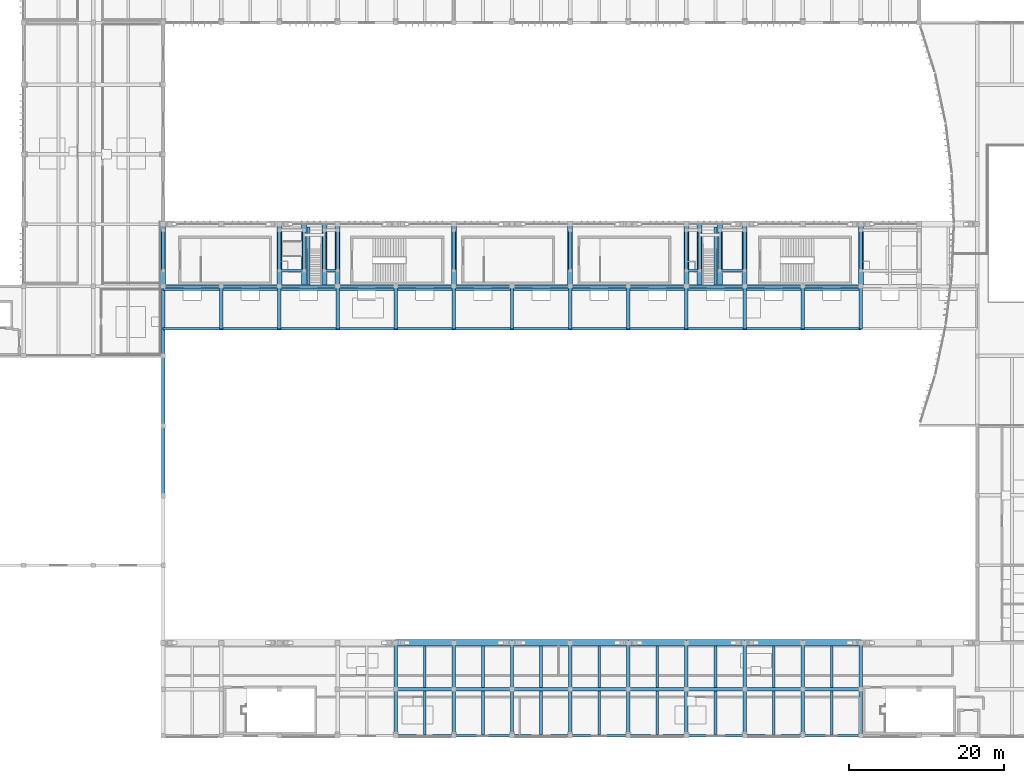
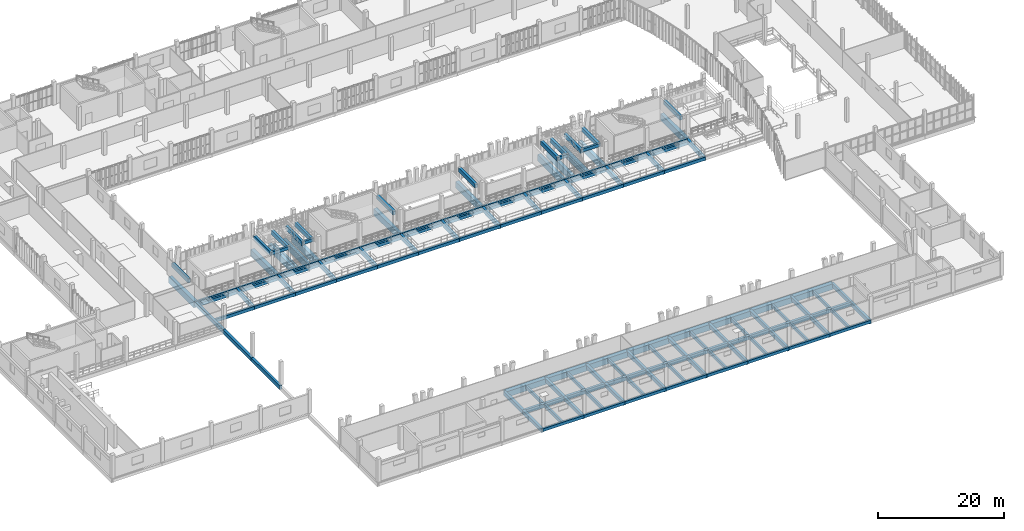
# One storey, part 9 of 81: 139 beams.
"""IFC4 building model written with IfcOpenShell, lengths in metres."""

from ifc_helpers import new_model, si_unit, direction, frame, origin, origin_2d, place, context, subcontext, project, spatial, rectangle, extrude, material, material_profile, profile_set, type_object, element, save


model = new_model("IFC4")

# Units and contexts
model_context = context("Model", 3, precision=1e-05, world=origin(), true_north=direction((0.0, 1.0)))
body_context = subcontext(model_context, "Body", "Model", "MODEL_VIEW")
ifc_project = project(units=[si_unit("LENGTHUNIT", "METRE"), si_unit("AREAUNIT", "SQUARE_METRE"), si_unit("VOLUMEUNIT", "CUBIC_METRE"), si_unit("PLANEANGLEUNIT", "RADIAN"), si_unit("MASSUNIT", "GRAM", prefix="KILO")], contexts=[model_context])

# Site, building, storey
site_placement = place(None, origin())
site = spatial("IfcSite", under=ifc_project, at=site_placement, CompositionType="ELEMENT")
building_placement = place(site_placement, origin())
building = spatial("IfcBuilding", under=site, at=building_placement, Name="Vourika Railside Aquatics Centre", CompositionType="ELEMENT")
storey_placement = place(building_placement, frame((0.0, 0.0, 4.800048828125)))
storey = spatial("IfcBuildingStorey", under=building, at=storey_placement, Name="L01", CompositionType="ELEMENT", Elevation=4.800048828125)

# Beams
ifc_material_1 = material(Name="Concrete C35/45", Category="concrete")
ifc_material_profile_1 = material_profile(ifc_material_1, rectangle(XDim=0.449951171875, YDim=0.75, at=origin_2d()), Name="RC 450x750")
ifc_profile_set_1 = profile_set([ifc_material_profile_1], Name="Concrete C35/45")
beam_type_1 = type_object("IfcBeamType", Name="BM-GIRD-450x750", PredefinedType="BEAM", material=ifc_profile_set_1)
for number, where, z_axis, x_axis, name in (
    (1, (66.0, 6.0, -0.675048828125), (1.0, 0.0, 0.0), (0.0, 1.0, 0.0), "Floor Beam GX-L01-018"),
    (2, (73.5, 6.0, -0.675048828125), (1.0, 0.0, 0.0), (0.0, 1.0, 0.0), "Floor Beam GX-L01-019"),
    (3, (81.0, 6.0, -0.675048828125), (1.0, 0.0, 0.0), (0.0, 1.0, 0.0), "Floor Beam GX-L01-020"),
    (4, (88.5, 6.0, -0.675048828125), (1.0, 0.0, 0.0), (0.0, 1.0, 0.0), "Floor Beam GX-L01-021"),
    (5, (96.0, 6.0, -0.675048828125), (1.0, 0.0, 0.0), (0.0, 1.0, 0.0), "Floor Beam GX-L01-022"),
    (6, (103.5, 6.0, -0.675048828125), (1.0, 0.0, 0.0), (0.0, 1.0, 0.0), "Floor Beam GX-L01-023"),
    (7, (111.0, 6.0, -0.675048828125), (1.0, 0.0, 0.0), (0.0, 1.0, 0.0), "Floor Beam GX-L01-024"),
    (8, (118.5, 6.0, -0.675048828125), (1.0, 0.0, 0.0), (0.0, 1.0, 0.0), "Floor Beam GX-L01-025"),
):
    element("IfcBeam", number, at=place(storey_placement, frame(where, z_axis=z_axis, x_axis=x_axis)), inside=storey, type_object=beam_type_1, Name=name, PredefinedType="BEAM", context=body_context, shape_type="SweptSolid", body=[
        extrude(rectangle(XDim=0.449951171875, YDim=0.75, at=origin_2d()), origin(), (0.0, 0.0, 1.0), 7.5),
    ])
for number, where, z_axis, x_axis, name in (
    (9, (36.0, 31.0, -0.675048828125), (0.0, 1.0, 0.0), (-1.0, 0.0, 0.0), "Floor Girder GY-L01-192"),
    (10, (36.0, 40.0, -0.675048828125), (0.0, 1.0, 0.0), (-1.0, 0.0, 0.0), "Floor Girder GY-L01-193"),
    (11, (36.0, 49.0, -0.675048828125), (0.0, 1.0, 0.0), (-1.0, 0.0, 0.0), "Floor Girder GY-L01-194"),
):
    element("IfcBeam", number, at=place(storey_placement, frame(where, z_axis=z_axis, x_axis=x_axis)), inside=storey, type_object=beam_type_1, Name=name, PredefinedType="BEAM", context=body_context, shape_type="SweptSolid", body=[
        extrude(rectangle(XDim=0.449951171875, YDim=0.75, at=origin_2d()), origin(), (0.0, 0.0, 1.0), 9.0),
    ])
for number, where, z_axis, x_axis, name in (
    (12, (66.0, 0.0, -0.675048828125), (0.0, 1.0, 0.0), (-1.0, 0.0, 0.0), "Floor Girder GY-L01-215"),
    (13, (66.0, 6.0, -0.675048828125), (0.0, 1.0, 0.0), (-1.0, 0.0, 0.0), "Floor Girder GY-L01-216"),
    (14, (73.5, 0.0, -0.675048828125), (0.0, 1.0, 0.0), (-1.0, 0.0, 0.0), "Floor Girder GY-L01-220"),
    (15, (73.5, 6.0, -0.675048828125), (0.0, 1.0, 0.0), (-1.0, 0.0, 0.0), "Floor Girder GY-L01-221"),
    (16, (81.0, 0.0, -0.675048828125), (0.0, 1.0, 0.0), (-1.0, 0.0, 0.0), "Floor Girder GY-L01-226"),
    (17, (81.0, 6.0, -0.675048828125), (0.0, 1.0, 0.0), (-1.0, 0.0, 0.0), "Floor Girder GY-L01-227"),
    (18, (88.5, 0.0, -0.675048828125), (0.0, 1.0, 0.0), (-1.0, 0.0, 0.0), "Floor Girder GY-L01-230"),
    (19, (88.5, 6.0, -0.675048828125), (0.0, 1.0, 0.0), (-1.0, 0.0, 0.0), "Floor Girder GY-L01-231"),
    (20, (96.0, 0.0, -0.675048828125), (0.0, 1.0, 0.0), (-1.0, 0.0, 0.0), "Floor Girder GY-L01-236"),
    (21, (96.0, 6.0, -0.675048828125), (0.0, 1.0, 0.0), (-1.0, 0.0, 0.0), "Floor Girder GY-L01-237"),
    (22, (103.5, 0.0, -0.675048828125), (0.0, 1.0, 0.0), (-1.0, 0.0, 0.0), "Floor Girder GY-L01-241"),
    (23, (103.5, 6.0, -0.675048828125), (0.0, 1.0, 0.0), (-1.0, 0.0, 0.0), "Floor Girder GY-L01-242"),
    (24, (111.0, 0.0, -0.675048828125), (0.0, 1.0, 0.0), (-1.0, 0.0, 0.0), "Floor Girder GY-L01-247"),
    (25, (111.0, 6.0, -0.675048828125), (0.0, 1.0, 0.0), (-1.0, 0.0, 0.0), "Floor Girder GY-L01-248"),
    (26, (118.5, 0.0, -0.675048828125), (0.0, 1.0, 0.0), (-1.0, 0.0, 0.0), "Floor Girder GY-L01-253"),
    (27, (118.5, 6.0, -0.675048828125), (0.0, 1.0, 0.0), (-1.0, 0.0, 0.0), "Floor Girder GY-L01-254"),
    (28, (126.0, 0.0, -0.675048828125), (0.0, 1.0, 0.0), (-1.0, 0.0, 0.0), "Floor Girder GY-L01-258"),
    (29, (126.0, 6.0, -0.675048828125), (0.0, 1.0, 0.0), (-1.0, 0.0, 0.0), "Floor Girder GY-L01-259"),
):
    element("IfcBeam", number, at=place(storey_placement, frame(where, z_axis=z_axis, x_axis=x_axis)), inside=storey, type_object=beam_type_1, Name=name, PredefinedType="BEAM", context=body_context, shape_type="SweptSolid", body=[
        extrude(rectangle(XDim=0.449951171875, YDim=0.75, at=origin_2d()), origin(), (0.0, 0.0, 1.0), 6.0),
    ])
ifc_material_profile_2 = material_profile(ifc_material_1, rectangle(XDim=0.449951171875, YDim=0.800048828125, at=origin_2d()), Name="RC 450x800")
ifc_profile_set_2 = profile_set([ifc_material_profile_2], Name="Concrete C35/45")
beam_type_2 = type_object("IfcBeamType", Name="BM-RAKER-450x800", PredefinedType="BEAM", material=ifc_profile_set_2)
for number, where, z_axis, x_axis, name in (
    (30, (43.5, 52.5, -0.949951171875), (0.0, 0.99896854021, 0.045407660919), (-1.0, 0.0, 0.0), "Grandstand Lower Raker Beam RKL-43.5"),
    (31, (51.0, 52.5, -0.949951171875), (0.0, 0.99896854021, 0.045407660919), (-1.0, 0.0, 0.0), "Grandstand Lower Raker Beam RKL-51.0"),
    (32, (58.5, 52.5, -0.949951171875), (0.0, 0.99896854021, 0.045407660919), (-1.0, 0.0, 0.0), "Grandstand Lower Raker Beam RKL-58.5"),
    (33, (66.0, 52.5, -0.949951171875), (0.0, 0.99896854021, 0.045407660919), (-1.0, 0.0, 0.0), "Grandstand Lower Raker Beam RKL-66.0"),
    (34, (73.5, 52.5, -0.949951171875), (0.0, 0.99896854021, 0.045407660919), (-1.0, 0.0, 0.0), "Grandstand Lower Raker Beam RKL-73.5"),
    (35, (81.0, 52.5, -0.949951171875), (0.0, 0.99896854021, 0.045407660919), (-1.0, 0.0, 0.0), "Grandstand Lower Raker Beam RKL-81.0"),
    (36, (88.5, 52.5, -0.949951171875), (0.0, 0.99896854021, 0.045407660919), (-1.0, 0.0, 0.0), "Grandstand Lower Raker Beam RKL-88.5"),
    (37, (96.0, 52.5, -0.949951171875), (0.0, 0.99896854021, 0.045407660919), (-1.0, 0.0, 0.0), "Grandstand Lower Raker Beam RKL-96.0"),
    (38, (103.5, 52.5, -0.949951171875), (0.0, 0.99896854021, 0.045407660919), (-1.0, 0.0, 0.0), "Grandstand Lower Raker Beam RKL-103.5"),
    (39, (111.0, 52.5, -0.949951171875), (0.0, 0.99896854021, 0.045407660919), (-1.0, 0.0, 0.0), "Grandstand Lower Raker Beam RKL-111.0"),
    (40, (118.5, 52.5, -0.949951171875), (0.0, 0.99896854021, 0.045407660919), (-1.0, 0.0, 0.0), "Grandstand Lower Raker Beam RKL-118.5"),
    (41, (126.0, 52.5, -0.949951171875), (0.0, 0.99896854021, 0.045407660919), (-1.0, 0.0, 0.0), "Grandstand Lower Raker Beam RKL-126.0"),
):
    element("IfcBeam", number, at=place(storey_placement, frame(where, z_axis=z_axis, x_axis=x_axis)), inside=storey, type_object=beam_type_2, Name=name, PredefinedType="BEAM", context=body_context, shape_type="SweptSolid", body=[
        extrude(rectangle(XDim=0.449951171875, YDim=0.800048828125, at=origin_2d()), origin(), (0.0, 0.0, 1.0), 5.505615234375),
    ])
for number, where, z_axis, x_axis, name in (
    (42, (36.0, 60.0, 2.39990234375), (0.0, 1.0, 0.0), (-1.0, 0.0, 0.0), "Grandstand Upper Raker Beam RKH-36.0"),
    (43, (51.0, 60.0, 2.39990234375), (0.0, 1.0, 0.0), (-1.0, 0.0, 0.0), "Grandstand Upper Raker Beam RKH-51.0"),
    (44, (58.5, 60.0, 2.39990234375), (0.0, 1.0, 0.0), (-1.0, 0.0, 0.0), "Grandstand Upper Raker Beam RKH-58.5"),
    (45, (73.5, 60.0, 2.39990234375), (0.0, 1.0, 0.0), (-1.0, 0.0, 0.0), "Grandstand Upper Raker Beam RKH-73.5"),
    (46, (88.5, 60.0, 2.39990234375), (0.0, 1.0, 0.0), (-1.0, 0.0, 0.0), "Grandstand Upper Raker Beam RKH-88.5"),
    (47, (103.5, 60.0, 2.39990234375), (0.0, 1.0, 0.0), (-1.0, 0.0, 0.0), "Grandstand Upper Raker Beam RKH-103.5"),
    (48, (111.0, 60.0, 2.39990234375), (0.0, 1.0, 0.0), (-1.0, 0.0, 0.0), "Grandstand Upper Raker Beam RKH-111.0"),
    (49, (126.0, 60.0, 2.39990234375), (0.0, 1.0, 0.0), (-1.0, 0.0, 0.0), "Grandstand Upper Raker Beam RKH-126.0"),
    (50, (54.199951171875, 60.0, 2.35498046875), (0.0, 1.0, 0.0), (-1.0, 0.0, 0.0), "Vomitory Trimmer Raker Beam 54.2"),
    (51, (56.800048828125, 60.0, 2.35498046875), (0.0, 1.0, 0.0), (-1.0, 0.0, 0.0), "Vomitory Trimmer Raker Beam 56.8"),
    (52, (105.199951171875, 60.0, 2.35498046875), (0.0, 1.0, 0.0), (-1.0, 0.0, 0.0), "Vomitory Trimmer Raker Beam 105.2"),
    (53, (107.800048828125, 60.0, 2.35498046875), (0.0, 1.0, 0.0), (-1.0, 0.0, 0.0), "Vomitory Trimmer Raker Beam 107.8"),
):
    element("IfcBeam", number, at=place(storey_placement, frame(where, z_axis=z_axis, x_axis=x_axis)), inside=storey, type_object=beam_type_2, Name=name, PredefinedType="BEAM", context=body_context, shape_type="SweptSolid", body=[
        extrude(rectangle(XDim=0.449951171875, YDim=0.800048828125, at=origin_2d()), origin(), (0.0, 0.0, 1.0), 5.199951171875),
    ])
ifc_material_2 = material(Name="Concrete C40/50", Category="concrete")
ifc_material_profile_3 = material_profile(ifc_material_2, rectangle(XDim=0.800048828125, YDim=1.10009765625, at=origin_2d()), Name="RC 800x1100")
ifc_profile_set_3 = profile_set([ifc_material_profile_3], Name="Concrete C40/50")
beam_type_3 = type_object("IfcBeamType", Name="BM-RING-800x1100", PredefinedType="BEAM", material=ifc_profile_set_3)
for number, where, z_axis, x_axis, name in (
    (54, (66.0, 12.0, -0.85009765625), (1.0, 0.0, 0.0), (0.0, 1.0, 0.0), "Floor Beam GX-L01-031"),
    (55, (73.5, 12.0, -0.85009765625), (1.0, 0.0, 0.0), (0.0, 1.0, 0.0), "Floor Beam GX-L01-032"),
    (56, (81.0, 12.0, -0.85009765625), (1.0, 0.0, 0.0), (0.0, 1.0, 0.0), "Floor Beam GX-L01-033"),
    (57, (88.5, 12.0, -0.85009765625), (1.0, 0.0, 0.0), (0.0, 1.0, 0.0), "Floor Beam GX-L01-034"),
    (58, (96.0, 12.0, -0.85009765625), (1.0, 0.0, 0.0), (0.0, 1.0, 0.0), "Floor Beam GX-L01-035"),
    (59, (103.5, 12.0, -0.85009765625), (1.0, 0.0, 0.0), (0.0, 1.0, 0.0), "Floor Beam GX-L01-036"),
    (60, (111.0, 12.0, -0.85009765625), (1.0, 0.0, 0.0), (0.0, 1.0, 0.0), "Floor Beam GX-L01-037"),
    (61, (118.5, 12.0, -0.85009765625), (1.0, 0.0, 0.0), (0.0, 1.0, 0.0), "Floor Beam GX-L01-038"),
):
    element("IfcBeam", number, at=place(storey_placement, frame(where, z_axis=z_axis, x_axis=x_axis)), inside=storey, type_object=beam_type_3, Name=name, PredefinedType="BEAM", context=body_context, shape_type="SweptSolid", body=[
        extrude(rectangle(XDim=0.800048828125, YDim=1.10009765625, at=origin_2d()), origin(), (0.0, 0.0, 1.0), 7.5),
    ])
ifc_material_profile_4 = material_profile(ifc_material_1, rectangle(XDim=0.35009765625, YDim=0.60009765625, at=origin_2d()), Name="RC 350x600")
ifc_profile_set_4 = profile_set([ifc_material_profile_4], Name="Concrete C35/45")
beam_type_4 = type_object("IfcBeamType", Name="BM-SEC-350x600", PredefinedType="JOIST", material=ifc_profile_set_4)
for number, where, z_axis, x_axis, name in (
    (62, (69.75, 0.159912109375, -0.60009765625), (0.0, 1.0, 0.0), (-1.0, 0.0, 0.0), "Secondary Joist JY-L01-300"),
    (63, (77.25, 0.159912109375, -0.60009765625), (0.0, 1.0, 0.0), (-1.0, 0.0, 0.0), "Secondary Joist JY-L01-301"),
    (64, (84.75, 0.159912109375, -0.60009765625), (0.0, 1.0, 0.0), (-1.0, 0.0, 0.0), "Secondary Joist JY-L01-302"),
    (65, (92.25, 0.159912109375, -0.60009765625), (0.0, 1.0, 0.0), (-1.0, 0.0, 0.0), "Secondary Joist JY-L01-303"),
    (66, (99.75, 0.159912109375, -0.60009765625), (0.0, 1.0, 0.0), (-1.0, 0.0, 0.0), "Secondary Joist JY-L01-304"),
    (67, (107.25, 0.159912109375, -0.60009765625), (0.0, 1.0, 0.0), (-1.0, 0.0, 0.0), "Secondary Joist JY-L01-305"),
    (68, (114.75, 0.159912109375, -0.60009765625), (0.0, 1.0, 0.0), (-1.0, 0.0, 0.0), "Secondary Joist JY-L01-306"),
    (69, (122.25, 0.159912109375, -0.60009765625), (0.0, 1.0, 0.0), (-1.0, 0.0, 0.0), "Secondary Joist JY-L01-307"),
):
    element("IfcBeam", number, at=place(storey_placement, frame(where, z_axis=z_axis, x_axis=x_axis)), inside=storey, type_object=beam_type_4, Name=name, PredefinedType="JOIST", context=body_context, shape_type="SweptSolid", body=[
        extrude(rectangle(XDim=0.35009765625, YDim=0.60009765625, at=origin_2d()), origin(), (0.0, 0.0, 1.0), 5.614990234375),
    ])
for number, where, z_axis, x_axis, name in (
    (70, (69.75, 6.22509765625, -0.60009765625), (0.0, 1.0, 0.0), (-1.0, 0.0, 0.0), "Secondary Joist JY-L01-311"),
    (71, (77.25, 6.22509765625, -0.60009765625), (0.0, 1.0, 0.0), (-1.0, 0.0, 0.0), "Secondary Joist JY-L01-312"),
    (72, (84.75, 6.22509765625, -0.60009765625), (0.0, 1.0, 0.0), (-1.0, 0.0, 0.0), "Secondary Joist JY-L01-313"),
    (73, (92.25, 6.22509765625, -0.60009765625), (0.0, 1.0, 0.0), (-1.0, 0.0, 0.0), "Secondary Joist JY-L01-314"),
    (74, (99.75, 6.22509765625, -0.60009765625), (0.0, 1.0, 0.0), (-1.0, 0.0, 0.0), "Secondary Joist JY-L01-315"),
    (75, (107.25, 6.22509765625, -0.60009765625), (0.0, 1.0, 0.0), (-1.0, 0.0, 0.0), "Secondary Joist JY-L01-316"),
    (76, (114.75, 6.22509765625, -0.60009765625), (0.0, 1.0, 0.0), (-1.0, 0.0, 0.0), "Secondary Joist JY-L01-317"),
    (77, (122.25, 6.22509765625, -0.60009765625), (0.0, 1.0, 0.0), (-1.0, 0.0, 0.0), "Secondary Joist JY-L01-318"),
):
    element("IfcBeam", number, at=place(storey_placement, frame(where, z_axis=z_axis, x_axis=x_axis)), inside=storey, type_object=beam_type_4, Name=name, PredefinedType="JOIST", context=body_context, shape_type="SweptSolid", body=[
        extrude(rectangle(XDim=0.35009765625, YDim=0.60009765625, at=origin_2d()), origin(), (0.0, 0.0, 1.0), 5.375),
    ])
for number, where, z_axis, x_axis, name in (
    (78, (54.75, 58.159912109375, -0.60009765625), (0.0, 1.0, 0.0), (-1.0, 0.0, 0.0), "Secondary Joist JY-L01-333"),
    (79, (107.25, 58.159912109375, -0.60009765625), (0.0, 1.0, 0.0), (-1.0, 0.0, 0.0), "Secondary Joist JY-L01-334"),
):
    element("IfcBeam", number, at=place(storey_placement, frame(where, z_axis=z_axis, x_axis=x_axis)), inside=storey, type_object=beam_type_4, Name=name, PredefinedType="JOIST", context=body_context, shape_type="SweptSolid", body=[
        extrude(rectangle(XDim=0.35009765625, YDim=0.60009765625, at=origin_2d()), origin(), (0.0, 0.0, 1.0), 7.440185546875),
    ])
for number, where, z_axis, x_axis, name in (
    (80, (36.0, 52.5, -0.85009765625), (1.0, 0.0, 0.0), (0.0, 1.0, 0.0), "Lower Stand Front Beam 36.0-43.5"),
    (81, (36.0, 57.60009765625, -0.85009765625), (1.0, 0.0, 0.0), (0.0, 1.0, 0.0), "Lower Stand Rear Beam 36.0-43.5"),
    (82, (43.5, 52.5, -0.85009765625), (1.0, 0.0, 0.0), (0.0, 1.0, 0.0), "Lower Stand Front Beam 43.5-51.0"),
    (83, (43.5, 57.60009765625, -0.85009765625), (1.0, 0.0, 0.0), (0.0, 1.0, 0.0), "Lower Stand Rear Beam 43.5-51.0"),
    (84, (51.0, 52.5, -0.85009765625), (1.0, 0.0, 0.0), (0.0, 1.0, 0.0), "Lower Stand Front Beam 51.0-58.5"),
    (85, (51.0, 57.60009765625, -0.85009765625), (1.0, 0.0, 0.0), (0.0, 1.0, 0.0), "Lower Stand Rear Beam 51.0-58.5"),
    (86, (58.5, 52.5, -0.85009765625), (1.0, 0.0, 0.0), (0.0, 1.0, 0.0), "Lower Stand Front Beam 58.5-66.0"),
    (87, (58.5, 57.60009765625, -0.85009765625), (1.0, 0.0, 0.0), (0.0, 1.0, 0.0), "Lower Stand Rear Beam 58.5-66.0"),
    (88, (66.0, 52.5, -0.85009765625), (1.0, 0.0, 0.0), (0.0, 1.0, 0.0), "Lower Stand Front Beam 66.0-73.5"),
    (89, (66.0, 57.60009765625, -0.85009765625), (1.0, 0.0, 0.0), (0.0, 1.0, 0.0), "Lower Stand Rear Beam 66.0-73.5"),
    (90, (73.5, 52.5, -0.85009765625), (1.0, 0.0, 0.0), (0.0, 1.0, 0.0), "Lower Stand Front Beam 73.5-81.0"),
    (91, (73.5, 57.60009765625, -0.85009765625), (1.0, 0.0, 0.0), (0.0, 1.0, 0.0), "Lower Stand Rear Beam 73.5-81.0"),
    (92, (81.0, 52.5, -0.85009765625), (1.0, 0.0, 0.0), (0.0, 1.0, 0.0), "Lower Stand Front Beam 81.0-88.5"),
    (93, (81.0, 57.60009765625, -0.85009765625), (1.0, 0.0, 0.0), (0.0, 1.0, 0.0), "Lower Stand Rear Beam 81.0-88.5"),
    (94, (88.5, 52.5, -0.85009765625), (1.0, 0.0, 0.0), (0.0, 1.0, 0.0), "Lower Stand Front Beam 88.5-96.0"),
    (95, (88.5, 57.60009765625, -0.85009765625), (1.0, 0.0, 0.0), (0.0, 1.0, 0.0), "Lower Stand Rear Beam 88.5-96.0"),
    (96, (96.0, 52.5, -0.85009765625), (1.0, 0.0, 0.0), (0.0, 1.0, 0.0), "Lower Stand Front Beam 96.0-103.5"),
    (97, (96.0, 57.60009765625, -0.85009765625), (1.0, 0.0, 0.0), (0.0, 1.0, 0.0), "Lower Stand Rear Beam 96.0-103.5"),
    (98, (103.5, 52.5, -0.85009765625), (1.0, 0.0, 0.0), (0.0, 1.0, 0.0), "Lower Stand Front Beam 103.5-111.0"),
    (99, (103.5, 57.60009765625, -0.85009765625), (1.0, 0.0, 0.0), (0.0, 1.0, 0.0), "Lower Stand Rear Beam 103.5-111.0"),
    (100, (111.0, 52.5, -0.85009765625), (1.0, 0.0, 0.0), (0.0, 1.0, 0.0), "Lower Stand Front Beam 111.0-118.5"),
    (101, (111.0, 57.60009765625, -0.85009765625), (1.0, 0.0, 0.0), (0.0, 1.0, 0.0), "Lower Stand Rear Beam 111.0-118.5"),
    (102, (118.5, 52.5, -0.85009765625), (1.0, 0.0, 0.0), (0.0, 1.0, 0.0), "Lower Stand Front Beam 118.5-126.0"),
    (103, (118.5, 57.60009765625, -0.85009765625), (1.0, 0.0, 0.0), (0.0, 1.0, 0.0), "Lower Stand Rear Beam 118.5-126.0"),
):
    element("IfcBeam", number, at=place(storey_placement, frame(where, z_axis=z_axis, x_axis=x_axis)), inside=storey, type_object=beam_type_4, Name=name, PredefinedType="JOIST", context=body_context, shape_type="SweptSolid", body=[
        extrude(rectangle(XDim=0.35009765625, YDim=0.60009765625, at=origin_2d()), origin(), (0.0, 0.0, 1.0), 7.5),
    ])
beam_1_placement = place(storey_placement, frame((51.0, 60.0, 2.5), z_axis=(1.0, 0.0, 0.0), x_axis=(0.0, 1.0, 0.0)))
element("IfcBeam", 104, at=beam_1_placement, inside=storey, type_object=beam_type_4, Name="Upper Stand Front Beam 51.0-54.2", PredefinedType="JOIST", context=body_context, shape_type="SweptSolid", body=[
    extrude(rectangle(XDim=0.35009765625, YDim=0.60009765625, at=origin_2d()), origin(), (0.0, 0.0, 1.0), 3.199951171875),
])
for number, where, z_axis, x_axis, name in (
    (105, (56.800048828125, 60.0, 2.5), (1.0, 0.0, 0.0), (0.0, 1.0, 0.0), "Upper Stand Front Beam 56.8-58.5"),
    (106, (103.5, 60.0, 2.5), (1.0, 0.0, 0.0), (0.0, 1.0, 0.0), "Upper Stand Front Beam 103.5-105.2"),
):
    element("IfcBeam", number, at=place(storey_placement, frame(where, z_axis=z_axis, x_axis=x_axis)), inside=storey, type_object=beam_type_4, Name=name, PredefinedType="JOIST", context=body_context, shape_type="SweptSolid", body=[
        extrude(rectangle(XDim=0.35009765625, YDim=0.60009765625, at=origin_2d()), origin(), (0.0, 0.0, 1.0), 1.699951171875),
    ])
beam_2_placement = place(storey_placement, frame((107.800048828125, 60.0, 2.5), z_axis=(1.0, 0.0, 0.0), x_axis=(0.0, 1.0, 0.0)))
element("IfcBeam", 107, at=beam_2_placement, inside=storey, type_object=beam_type_4, Name="Upper Stand Front Beam 107.8-111.0", PredefinedType="JOIST", context=body_context, shape_type="SweptSolid", body=[
    extrude(rectangle(XDim=0.35009765625, YDim=0.60009765625, at=origin_2d()), origin(), (0.0, 0.0, 1.0), 3.199951171875),
])
ifc_material_profile_5 = material_profile(ifc_material_1, rectangle(XDim=0.320068359375, YDim=0.550048828125, at=origin_2d()), Name="RC 320x550")
ifc_profile_set_5 = profile_set([ifc_material_profile_5], Name="Concrete C35/45")
beam_type_5 = type_object("IfcBeamType", Name="BM-SPAN-320x550", PredefinedType="SPANDREL", material=ifc_profile_set_5)
for number, where, z_axis, x_axis, name in (
    (108, (66.0, 0.0, -0.574951171875), (1.0, 0.0, 0.0), (0.0, 1.0, 0.0), "Floor Beam GX-L01-005"),
    (109, (73.5, 0.0, -0.574951171875), (1.0, 0.0, 0.0), (0.0, 1.0, 0.0), "Floor Beam GX-L01-006"),
    (110, (81.0, 0.0, -0.574951171875), (1.0, 0.0, 0.0), (0.0, 1.0, 0.0), "Floor Beam GX-L01-007"),
    (111, (88.5, 0.0, -0.574951171875), (1.0, 0.0, 0.0), (0.0, 1.0, 0.0), "Floor Beam GX-L01-008"),
    (112, (96.0, 0.0, -0.574951171875), (1.0, 0.0, 0.0), (0.0, 1.0, 0.0), "Floor Beam GX-L01-009"),
    (113, (103.5, 0.0, -0.574951171875), (1.0, 0.0, 0.0), (0.0, 1.0, 0.0), "Floor Beam GX-L01-010"),
    (114, (111.0, 0.0, -0.574951171875), (1.0, 0.0, 0.0), (0.0, 1.0, 0.0), "Floor Beam GX-L01-011"),
    (115, (118.5, 0.0, -0.574951171875), (1.0, 0.0, 0.0), (0.0, 1.0, 0.0), "Floor Beam GX-L01-012"),
    (116, (36.0, 58.0, -0.574951171875), (1.0, 0.0, 0.0), (0.0, 1.0, 0.0), "Floor Beam GX-L01-062"),
    (117, (43.5, 58.0, -0.574951171875), (1.0, 0.0, 0.0), (0.0, 1.0, 0.0), "Floor Beam GX-L01-063"),
    (118, (51.0, 58.0, -0.574951171875), (1.0, 0.0, 0.0), (0.0, 1.0, 0.0), "Floor Beam GX-L01-064"),
    (119, (58.5, 58.0, -0.574951171875), (1.0, 0.0, 0.0), (0.0, 1.0, 0.0), "Floor Beam GX-L01-065"),
    (120, (66.0, 58.0, -0.574951171875), (1.0, 0.0, 0.0), (0.0, 1.0, 0.0), "Floor Beam GX-L01-066"),
    (121, (73.5, 58.0, -0.574951171875), (1.0, 0.0, 0.0), (0.0, 1.0, 0.0), "Floor Beam GX-L01-067"),
    (122, (81.0, 58.0, -0.574951171875), (1.0, 0.0, 0.0), (0.0, 1.0, 0.0), "Floor Beam GX-L01-068"),
    (123, (88.5, 58.0, -0.574951171875), (1.0, 0.0, 0.0), (0.0, 1.0, 0.0), "Floor Beam GX-L01-069"),
    (124, (96.0, 58.0, -0.574951171875), (1.0, 0.0, 0.0), (0.0, 1.0, 0.0), "Floor Beam GX-L01-070"),
    (125, (103.5, 58.0, -0.574951171875), (1.0, 0.0, 0.0), (0.0, 1.0, 0.0), "Floor Beam GX-L01-071"),
    (126, (111.0, 58.0, -0.574951171875), (1.0, 0.0, 0.0), (0.0, 1.0, 0.0), "Floor Beam GX-L01-072"),
    (127, (118.5, 58.0, -0.574951171875), (1.0, 0.0, 0.0), (0.0, 1.0, 0.0), "Floor Beam GX-L01-073"),
):
    element("IfcBeam", number, at=place(storey_placement, frame(where, z_axis=z_axis, x_axis=x_axis)), inside=storey, type_object=beam_type_5, Name=name, PredefinedType="SPANDREL", context=body_context, shape_type="SweptSolid", body=[
        extrude(rectangle(XDim=0.320068359375, YDim=0.550048828125, at=origin_2d()), origin(), (0.0, 0.0, 1.0), 7.5),
    ])
ifc_material_profile_6 = material_profile(ifc_material_2, rectangle(XDim=0.64990234375, YDim=1.25, at=origin_2d()), Name="RC 650x1250")
ifc_profile_set_6 = profile_set([ifc_material_profile_6], Name="Concrete C40/50")
beam_type_6 = type_object("IfcBeamType", Name="BM-XFER-650x1250", PredefinedType="BEAM", material=ifc_profile_set_6)
for number, where, z_axis, x_axis, name in (
    (128, (36.0, 58.0, -0.925048828125), (0.0, 1.0, 0.0), (-1.0, 0.0, 0.0), "Floor Girder GY-L01-195"),
    (129, (51.0, 58.0, -0.925048828125), (0.0, 1.0, 0.0), (-1.0, 0.0, 0.0), "Floor Girder GY-L01-207"),
    (130, (58.5, 58.0, -0.925048828125), (0.0, 1.0, 0.0), (-1.0, 0.0, 0.0), "Floor Girder GY-L01-212"),
    (131, (73.5, 58.0, -0.925048828125), (0.0, 1.0, 0.0), (-1.0, 0.0, 0.0), "Floor Girder GY-L01-222"),
    (132, (88.5, 58.0, -0.925048828125), (0.0, 1.0, 0.0), (-1.0, 0.0, 0.0), "Floor Girder GY-L01-232"),
    (133, (103.5, 58.0, -0.925048828125), (0.0, 1.0, 0.0), (-1.0, 0.0, 0.0), "Floor Girder GY-L01-243"),
    (134, (111.0, 58.0, -0.925048828125), (0.0, 1.0, 0.0), (-1.0, 0.0, 0.0), "Floor Girder GY-L01-249"),
    (135, (126.0, 58.0, -0.925048828125), (0.0, 1.0, 0.0), (-1.0, 0.0, 0.0), "Floor Girder GY-L01-260"),
    (136, (54.199951171875, 58.0, -0.925048828125), (0.0, 1.0, 0.0), (-1.0, 0.0, 0.0), "Vomitory Aisle Transfer Girder 54.2"),
    (137, (56.800048828125, 58.0, -0.925048828125), (0.0, 1.0, 0.0), (-1.0, 0.0, 0.0), "Vomitory Aisle Transfer Girder 56.8"),
    (138, (105.199951171875, 58.0, -0.925048828125), (0.0, 1.0, 0.0), (-1.0, 0.0, 0.0), "Vomitory Aisle Transfer Girder 105.2"),
    (139, (107.800048828125, 58.0, -0.925048828125), (0.0, 1.0, 0.0), (-1.0, 0.0, 0.0), "Vomitory Aisle Transfer Girder 107.8"),
):
    element("IfcBeam", number, at=place(storey_placement, frame(where, z_axis=z_axis, x_axis=x_axis)), inside=storey, type_object=beam_type_6, Name=name, PredefinedType="BEAM", context=body_context, shape_type="SweptSolid", body=[
        extrude(rectangle(XDim=0.64990234375, YDim=1.25, at=origin_2d()), origin(), (0.0, 0.0, 1.0), 8.0),
    ])

save(model, "model.ifc")
